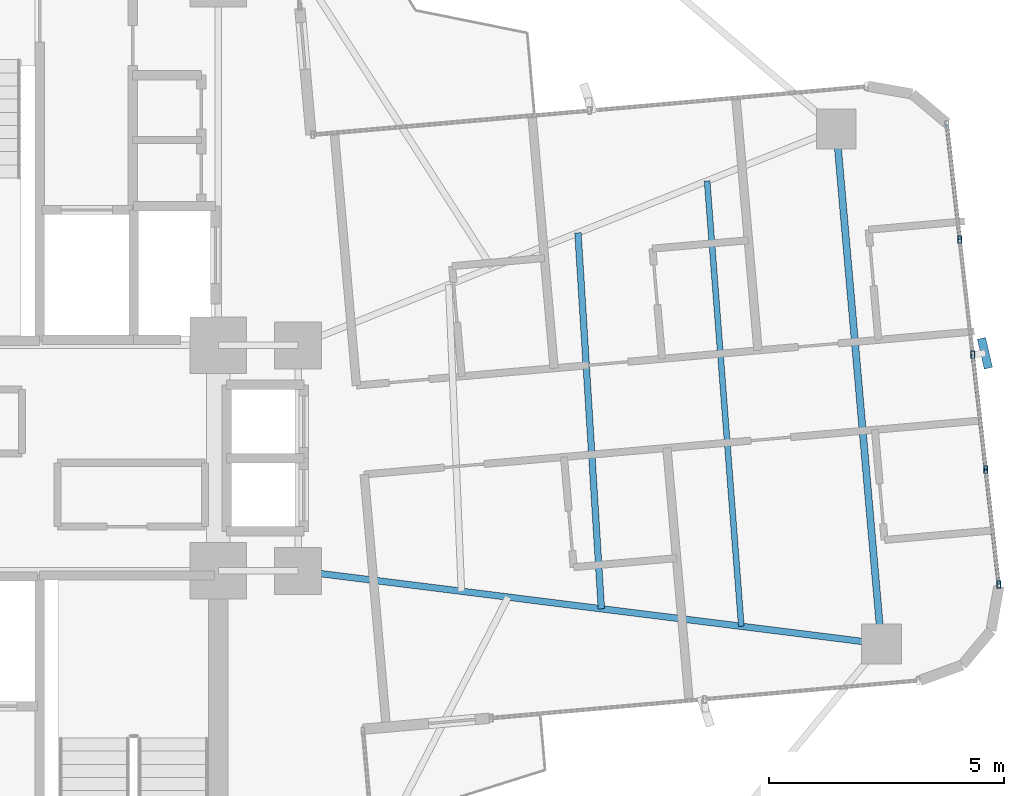
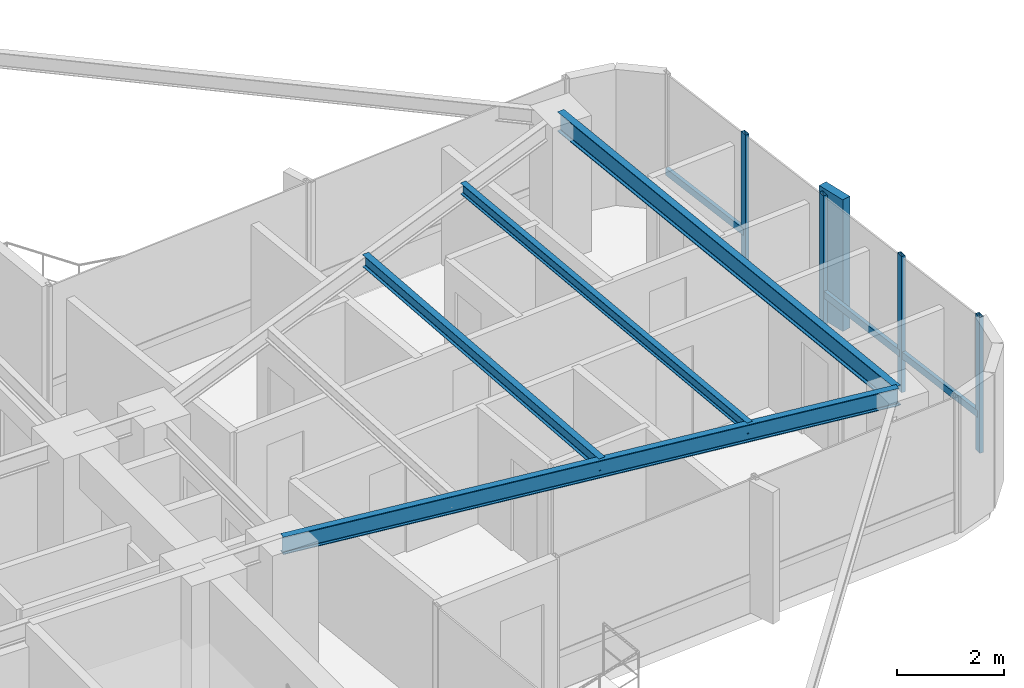
# One storey, part 14 of 24: 8 members, 4 beams, 1 element without a shape of its own.
"""IFC4 building model written with IfcOpenShell, lengths in metres."""

from ifc_helpers import new_model, si_unit, direction, frame, origin, origin_2d, place, context, subcontext, project, spatial, rectangle, hollow_rectangle, i_section, extrude, source, transform, mapped, material, material_profile, profile_set, type_object, element, aggregate, save


model = new_model("IFC4")

# Units and contexts
model_context = context("Model", 3, precision=1e-05, world=origin(), true_north=direction((0.0, 1.0)))
body_context = subcontext(model_context, "Body", "Model", "MODEL_VIEW")
ifc_project = project(units=[si_unit("LENGTHUNIT", "METRE"), si_unit("AREAUNIT", "SQUARE_METRE"), si_unit("VOLUMEUNIT", "CUBIC_METRE"), si_unit("PLANEANGLEUNIT", "RADIAN"), si_unit("MASSUNIT", "GRAM", prefix="KILO")], contexts=[model_context])

# Site, building, storey
site_placement = place(None, origin())
site = spatial("IfcSite", under=ifc_project, at=site_placement, CompositionType="ELEMENT")
building_placement = place(site_placement, origin())
building = spatial("IfcBuilding", under=site, at=building_placement, Name="Sahyath Konkavel Grand Hotel", CompositionType="ELEMENT")
storey_placement = place(building_placement, frame((0.0, 0.0, 191.949951171875)))
storey = spatial("IfcBuildingStorey", under=building, at=storey_placement, Name="L53", CompositionType="ELEMENT", Elevation=191.949951171875)

# Beams
ifc_material_1 = material(Name="Steel E350", Category="steel")
ifc_material_profile_1 = material_profile(ifc_material_1, i_section(OverallWidth=0.139892578125, OverallDepth=0.39990234375, WebThickness=0.0087890625, FlangeThickness=0.01611328125, FilletRadius=0.013916015625, at=origin_2d()), Name="ISMB 400")
ifc_profile_set_1 = profile_set([ifc_material_profile_1], Name="Steel E350")
beam_type_1 = type_object("IfcBeamType", Name="BM-ISMB400", PredefinedType="BEAM", material=ifc_profile_set_1)
shared_shape_1 = source(origin(), body_context, "Body", "SweptSolid", [
    extrude(i_section(OverallWidth=0.139892578125, OverallDepth=0.39990234375, WebThickness=0.0087890625, FlangeThickness=0.01611328125, FilletRadius=0.013916015625, at=origin_2d()), origin(), (0.0, 0.0, 1.0), 12.509765625),
])
beam_1_placement = place(storey_placement, frame((5.5, -2.39990234375, 2.91015625), z_axis=(0.992254740459, -0.124219684578, 0.0), x_axis=(0.124219684578, 0.992254740459, 0.0)))
element("IfcBeam", 1, at=beam_1_placement, inside=storey, type_object=beam_type_1, Name="L53 Cruciform Radial Girder EA", PredefinedType="BEAM", context=body_context, shape_type="MappedRepresentation", body=[
    mapped(shared_shape_1, transform((0.0, 0.0, 0.0), scale=1.0)),
])
ifc_material_profile_2 = material_profile(ifc_material_1, i_section(OverallWidth=0.14990234375, OverallDepth=0.449951171875, WebThickness=0.009521484375, FlangeThickness=0.017333984375, FilletRadius=0.014892578125, at=origin_2d()), Name="ISMB 450")
ifc_profile_set_2 = profile_set([ifc_material_profile_2], Name="Steel E350")
beam_type_2 = type_object("IfcBeamType", Name="BM-ISMB450", PredefinedType="BEAM", material=ifc_profile_set_2)
shared_shape_2 = source(origin(), body_context, "Body", "SweptSolid", [
    extrude(i_section(OverallWidth=0.14990234375, OverallDepth=0.449951171875, WebThickness=0.009521484375, FlangeThickness=0.017333984375, FilletRadius=0.014892578125, at=origin_2d()), origin(), (0.0, 0.0, 1.0), 11.0),
])
beam_2_placement = place(storey_placement, frame((17.912841796875, -3.953857421875, 2.885009765625), z_axis=(-0.087157314015, 0.996194560622, 0.0), x_axis=(-0.996194560622, -0.087157314015, 0.0)))
element("IfcBeam", 2, at=beam_2_placement, inside=storey, type_object=beam_type_2, Name="L53 Wing Tip Edge Beam E", PredefinedType="BEAM", context=body_context, shape_type="MappedRepresentation", body=[
    mapped(shared_shape_2, transform((0.0, 0.0, 0.0), scale=1.0)),
])
ifc_material_profile_3 = material_profile(ifc_material_1, i_section(OverallWidth=0.139892578125, OverallDepth=0.27490234375, WebThickness=0.00634765625, FlangeThickness=0.0087890625, FilletRadius=0.012939453125, at=origin_2d()), Name="ISLB 275")
ifc_profile_set_3 = profile_set([ifc_material_profile_3], Name="Steel E350")
beam_type_3 = type_object("IfcBeamType", Name="BM-ISLB275", PredefinedType="BEAM", material=ifc_profile_set_3)
shared_shape_3 = source(origin(), body_context, "Body", "SweptSolid", [
    extrude(i_section(OverallWidth=0.139892578125, OverallDepth=0.27490234375, WebThickness=0.00634765625, FlangeThickness=0.0087890625, FilletRadius=0.012939453125, at=origin_2d()), origin(), (0.0, 0.0, 1.0), 8.017822265625),
])
beam_3_placement = place(storey_placement, frame((11.95458984375, -3.2080078125, 2.97265625), z_axis=(-0.062179233264, 0.998064999362, 0.0), x_axis=(-0.998064999362, -0.062179233264, 0.0)))
element("IfcBeam", 3, at=beam_3_placement, inside=storey, type_object=beam_type_3, Name="L53 Secondary Floor Beam E-2", PredefinedType="BEAM", context=body_context, shape_type="MappedRepresentation", body=[
    mapped(shared_shape_3, transform((0.0, 0.0, 0.0), scale=1.0)),
])
ifc_material_profile_4 = material_profile(ifc_material_1, i_section(OverallWidth=0.125, OverallDepth=0.25, WebThickness=0.0068359375, FlangeThickness=0.012451171875, FilletRadius=0.012939453125, at=origin_2d()), Name="ISMB 250")
ifc_profile_set_4 = profile_set([ifc_material_profile_4], Name="Steel E350")
beam_type_4 = type_object("IfcBeamType", Name="BM-ISMB250", PredefinedType="BEAM", material=ifc_profile_set_4)
shared_shape_4 = source(origin(), body_context, "Body", "SweptSolid", [
    extrude(i_section(OverallWidth=0.125, OverallDepth=0.25, WebThickness=0.0068359375, FlangeThickness=0.012451171875, FilletRadius=0.012939453125, at=origin_2d()), origin(), (0.0, 0.0, 1.0), 9.508056640625),
])
beam_4_placement = place(storey_placement, frame((14.93359375, -3.580810546875, 2.985107421875), z_axis=(-0.076619921029, 0.997060373148, 0.0), x_axis=(-0.997060373148, -0.076619921029, 0.0)))
element("IfcBeam", 4, at=beam_4_placement, inside=storey, type_object=beam_type_4, Name="L53 Secondary Floor Beam E-3", PredefinedType="BEAM", context=body_context, shape_type="MappedRepresentation", body=[
    mapped(shared_shape_4, transform((0.0, 0.0, 0.0), scale=1.0)),
])

# Curtain wall, members
ifc_material_2 = material(Name="Anodised Bronze Aluminium & Low-E Glazing", Category="aluminium")
curtain_wall_type = type_object("IfcCurtainWallType", Name="CW-ZONE3", PredefinedType="NOTDEFINED", material=ifc_material_2)
curtain_wall_placement = place(storey_placement, origin())
curtain_wall = element("IfcCurtainWall", 5, at=curtain_wall_placement, inside=storey, type_object=curtain_wall_type, Name="L53 Unitised Curtain Wall F4", PredefinedType="NOTDEFINED")
ifc_material_3 = material(Name="Warm Buff Sandstone Cladding on Concrete C50/60", Category="masonry")
ifc_material_profile_5 = material_profile(ifc_material_3, rectangle(XDim=0.179931640625, YDim=0.64990234375, at=origin_2d()), Name="FIN 180x650")
ifc_profile_set_5 = profile_set([ifc_material_profile_5], Name="Warm Buff Sandstone Cladding on Concrete C50/60")
member_type_1 = type_object("IfcMemberType", Name="FIN-SANDSTONE-650", PredefinedType="MULLION", material=ifc_profile_set_5)
shared_shape_5 = source(origin(), body_context, "Body", "SweptSolid", [
    extrude(rectangle(XDim=0.179931640625, YDim=0.64990234375, at=origin_2d()), origin(), (0.0, 0.0, 1.0), 3.010009765625),
])
member_1_placement = place(storey_placement, frame((20.1181640625, 2.23095703125, 0.050048828125), z_axis=(0.0, 0.0, 1.0), x_axis=(0.973896791711, 0.226991275371, 0.0)))
member_1 = element("IfcMember", 6, at=member_1_placement, type_object=member_type_1, Name="L53 Sandstone Vertical Solar Fin FIN F4-2", PredefinedType="MULLION", context=body_context, shape_type="MappedRepresentation", body=[
    mapped(shared_shape_5, transform((0.0, 0.0, 0.0), scale=1.0)),
])
ifc_material_4 = material(Name="Anodised Bronze Aluminium", Category="aluminium")
ifc_material_profile_6 = material_profile(ifc_material_4, hollow_rectangle(XDim=0.080078125, YDim=0.159912109375, WallThickness=0.006103515625, at=origin_2d()), Name="RHS 160x80x6")
ifc_profile_set_6 = profile_set([ifc_material_profile_6], Name="Anodised Bronze Aluminium")
member_type_2 = type_object("IfcMemberType", Name="CW-MUL-160", PredefinedType="MULLION", material=ifc_profile_set_6)
shared_shape_6 = source(origin(), body_context, "Body", "SweptSolid", [
    extrude(hollow_rectangle(XDim=0.080078125, YDim=0.159912109375, WallThickness=0.006103515625, at=origin_2d()), origin(), (0.0, 0.0, 1.0), 3.110107421875),
])
member_2_placement = place(storey_placement, frame((20.4111328125, -2.69140625, 0.0), z_axis=(0.0, 0.0, 1.0), x_axis=(1.0, 0.0, 0.0)))
member_2 = element("IfcMember", 7, at=member_2_placement, type_object=member_type_2, Name="L53 Curtain Wall Mullion F4-0", PredefinedType="MULLION", context=body_context, shape_type="MappedRepresentation", body=[
    mapped(shared_shape_6, transform((0.0, 0.0, 0.0), scale=1.0)),
])
member_3_placement = place(storey_placement, frame((20.135498046875, -0.24462890625, 0.0), z_axis=(0.0, 0.0, 1.0), x_axis=(1.0, 0.0, 0.0)))
member_3 = element("IfcMember", 8, at=member_3_placement, type_object=member_type_2, Name="L53 Curtain Wall Mullion F4-1", PredefinedType="MULLION", context=body_context, shape_type="MappedRepresentation", body=[
    mapped(shared_shape_6, transform((0.0, 0.0, 0.0), scale=1.0)),
])
member_4_placement = place(storey_placement, frame((19.859619140625, 2.201904296875, 0.0), z_axis=(0.0, 0.0, 1.0), x_axis=(1.0, 0.0, 0.0)))
member_4 = element("IfcMember", 9, at=member_4_placement, type_object=member_type_2, Name="L53 Curtain Wall Mullion F4-2", PredefinedType="MULLION", context=body_context, shape_type="MappedRepresentation", body=[
    mapped(shared_shape_6, transform((0.0, 0.0, 0.0), scale=1.0)),
])
member_5_placement = place(storey_placement, frame((19.583984375, 4.648193359375, 0.0), z_axis=(0.0, 0.0, 1.0), x_axis=(1.0, 0.0, 0.0)))
member_5 = element("IfcMember", 10, at=member_5_placement, type_object=member_type_2, Name="L53 Curtain Wall Mullion F4-3", PredefinedType="MULLION", context=body_context, shape_type="MappedRepresentation", body=[
    mapped(shared_shape_6, transform((0.0, 0.0, 0.0), scale=1.0)),
])
ifc_material_profile_7 = material_profile(ifc_material_4, hollow_rectangle(XDim=0.080078125, YDim=0.159912109375, WallThickness=0.006103515625, at=origin_2d()), Name="RHS 160x80x6")
ifc_profile_set_7 = profile_set([ifc_material_profile_7], Name="Anodised Bronze Aluminium")
member_type_3 = type_object("IfcMemberType", Name="CW-TRN-160", PredefinedType="USERDEFINED", material=ifc_profile_set_7)
shared_shape_7 = source(origin(), body_context, "Body", "SweptSolid", [
    extrude(hollow_rectangle(XDim=0.080078125, YDim=0.159912109375, WallThickness=0.006103515625, at=origin_2d()), origin(), (0.0, 0.0, 1.0), 2.462158203125),
])
member_6_placement = place(storey_placement, frame((20.4111328125, -2.69140625, 0.85009765625), z_axis=(-0.11194409079, 0.993714506555, 0.0), x_axis=(-0.993714506555, -0.11194409079, 0.0)))
member_6 = element("IfcMember", 11, at=member_6_placement, type_object=member_type_3, Name="L53 Curtain Wall Transom F4-0-spandrel", ObjectType="TRANSOM", PredefinedType="USERDEFINED", context=body_context, shape_type="MappedRepresentation", body=[
    mapped(shared_shape_7, transform((0.0, 0.0, 0.0), scale=1.0)),
])
member_7_placement = place(storey_placement, frame((20.135498046875, -0.24462890625, 0.85009765625), z_axis=(-0.112053040279, 0.99370222711, 0.0), x_axis=(-0.99370222711, -0.112053040279, 0.0)))
member_7 = element("IfcMember", 12, at=member_7_placement, type_object=member_type_3, Name="L53 Curtain Wall Transom F4-1-spandrel", ObjectType="TRANSOM", PredefinedType="USERDEFINED", context=body_context, shape_type="MappedRepresentation", body=[
    mapped(shared_shape_7, transform((0.0, 0.0, 0.0), scale=1.0)),
])
member_8_placement = place(storey_placement, frame((19.583984375, 4.648193359375, 0.85009765625), z_axis=(-0.11194409079, 0.993714506555, 0.0), x_axis=(-0.993714506555, -0.11194409079, 0.0)))
member_8 = element("IfcMember", 13, at=member_8_placement, type_object=member_type_3, Name="L53 Curtain Wall Transom F4-3-spandrel", ObjectType="TRANSOM", PredefinedType="USERDEFINED", context=body_context, shape_type="MappedRepresentation", body=[
    mapped(shared_shape_7, transform((0.0, 0.0, 0.0), scale=1.0)),
])
aggregate(curtain_wall, [member_2, member_3, member_4, member_1, member_5, member_6, member_7, member_8])

save(model, "model.ifc")
